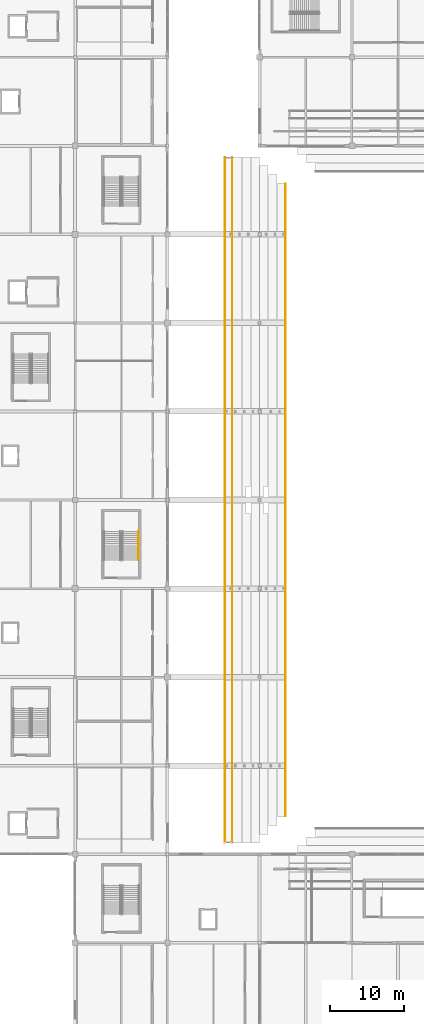
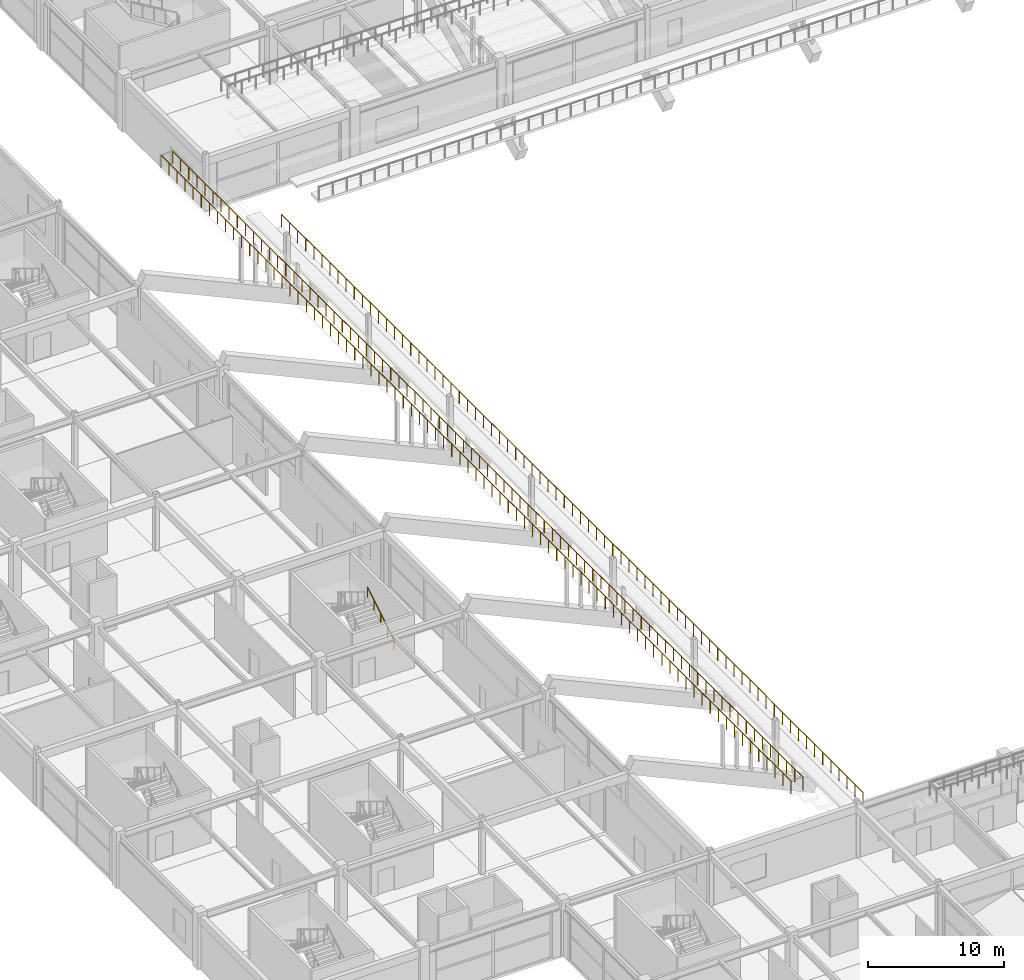
# One storey, part 111 of 128: 4 railings.
"""IFC4 building model written with IfcOpenShell, lengths in metres."""

import ifcopenshell
import ifcopenshell.guid

model = None  # the IFC model being written
_history = None  # IfcOwnerHistory: only IFC2X3 demands one
_inside = {}  # id of a spatial element -> (the spatial element, [elements in it])
_under = {}  # id of a project, library or spatial element -> (it, [spatial elements below it])
_declared = {}  # id of a project -> (the project, [libraries it declares])
_typed = {}  # id of a type object -> (the type object, [elements of that type])
_made_of = {}  # id of a material, layer set ... -> (it, [elements and type objects made of it])


def new_model(schema):
    """Start an empty IFC model of exactly this schema.

    Asked for "IFC4X3", IfcOpenShell would pick the latest addendum, in which some entities
    have other attributes; the version numbers below select the first issue.
    IFC2X3 requires an IfcOwnerHistory on every rooted entity: one is made here for all.
    """
    global model, _history
    if schema == "IFC4X3":
        model = ifcopenshell.file(schema_version=(4, 3, 0, 0))
    else:
        model = ifcopenshell.file(schema=schema)
    _inside.clear()
    _under.clear()
    _declared.clear()
    _typed.clear()
    _made_of.clear()
    _history = None
    if model.schema == "IFC2X3":
        org = make("IfcOrganization", Name="unknown")
        user = make(
            "IfcPersonAndOrganization",
            ThePerson=make("IfcPerson", FamilyName="unknown"),
            TheOrganization=org,
        )
        app = make(
            "IfcApplication",
            ApplicationDeveloper=org,
            Version="unknown",
            ApplicationFullName="unknown",
            ApplicationIdentifier="unknown",
        )
        _history = make(
            "IfcOwnerHistory",
            OwningUser=user,
            OwningApplication=app,
            ChangeAction="ADDED",
            CreationDate=0,
        )
    return model


def make(cls, **values):
    """One entity of the class cls with the attributes given. An attribute that is None is left unset."""
    return model.create_entity(
        cls, **{name: value for name, value in values.items() if value is not None}
    )


def rooted(cls, **values):
    """An entity with a GlobalId (a new one), such as an element, a storey or a relation."""
    return make(cls, GlobalId=ifcopenshell.guid.new(), OwnerHistory=_history, **values)


def si_unit(unit_type, name, prefix=None):
    """IfcSIUnit, for example si_unit("LENGTHUNIT", "METRE", prefix="MILLI")."""
    return make("IfcSIUnit", UnitType=unit_type, Prefix=prefix, Name=name)


def assignment(units):
    """IfcUnitAssignment: the units of a project."""
    return None if units is None else make("IfcUnitAssignment", Units=units)


def point(xyz):
    """IfcCartesianPoint."""
    return None if xyz is None else make("IfcCartesianPoint", Coordinates=xyz)


def direction(xyz):
    """IfcDirection."""
    return None if xyz is None else make("IfcDirection", DirectionRatios=xyz)


def frame(location, z_axis=None, x_axis=None):
    """IfcAxis2Placement3D, a coordinate frame: its origin and axes. An axis left out is left unset."""
    return make(
        "IfcAxis2Placement3D",
        Location=point(location),
        Axis=direction(z_axis),
        RefDirection=direction(x_axis),
    )


def frame_2d(location, x_axis=None):
    """IfcAxis2Placement2D, a coordinate frame in the plane: its origin and x axis."""
    return make(
        "IfcAxis2Placement2D", Location=point(location), RefDirection=direction(x_axis)
    )


def origin():
    """The frame at (0, 0, 0) with its axes left unset."""
    return frame((0.0, 0.0, 0.0))


def origin_2d():
    """The frame at (0, 0) in the plane with its x axis left unset."""
    return frame_2d((0.0, 0.0))


def place(relative_to, where):
    """IfcLocalPlacement: puts the frame where relative to a parent placement (None: the world)."""
    return make(
        "IfcLocalPlacement", PlacementRelTo=relative_to, RelativePlacement=where
    )


def context(
    kind, dimensions, precision=None, world=None, true_north=None, identifier=None
):
    """IfcGeometricRepresentationContext, for example the 3D "Model" context."""
    return make(
        "IfcGeometricRepresentationContext",
        ContextIdentifier=identifier,
        ContextType=kind,
        CoordinateSpaceDimension=dimensions,
        Precision=precision,
        WorldCoordinateSystem=world,
        TrueNorth=true_north,
    )


def subcontext(parent, identifier, kind, view, scale=None):
    """IfcGeometricRepresentationSubContext, for example "Body" below "Model"."""
    return make(
        "IfcGeometricRepresentationSubContext",
        ContextIdentifier=identifier,
        ContextType=kind,
        ParentContext=parent,
        TargetScale=scale,
        TargetView=view,
    )


def project(units=None, contexts=None):
    """IfcProject with its units and contexts."""
    return rooted(
        "IfcProject",
        Name="project",
        RepresentationContexts=contexts,
        UnitsInContext=assignment(units),
    )


def spatial(cls, under=None, at=None, **own):
    """A site, building, storey or space (cls), placed at a placement, below another one or the project."""
    s = rooted(cls, ObjectPlacement=at, **own)
    if under is not None:
        _under.setdefault(under.id(), (under, []))[1].append(s)
    return s


def profile(cls, at=None, kind="AREA", **sizes):
    """A parametric profile (cls). Its sizes go by their IFC names, for example OverallWidth=200.0."""
    return make(cls, ProfileType=kind, Position=at, **sizes)


def circle(**sizes):
    """IfcCircleProfileDef."""
    return profile("IfcCircleProfileDef", **sizes)


def extrude(swept, where, along, depth):
    """IfcExtrudedAreaSolid: the profile swept, set in the frame where, extruded along a direction by depth."""
    return make(
        "IfcExtrudedAreaSolid",
        SweptArea=swept,
        Position=where,
        ExtrudedDirection=direction(along),
        Depth=depth,
    )


def shape(context_of_items, identifier, shape_type, items):
    """IfcShapeRepresentation: the items that make up one representation, for example the "Body"."""
    return make(
        "IfcShapeRepresentation",
        ContextOfItems=context_of_items,
        RepresentationIdentifier=identifier,
        RepresentationType=shape_type,
        Items=items,
    )


def material(Name=None, Category=None):
    """IfcMaterial."""
    return make("IfcMaterial", Name=Name, Category=Category)


def layer(
    of_material, thickness, ventilated=None, Name=None, Category=None, Priority=None
):
    """IfcMaterialLayer: one layer of a wall or slab, of a material (None: an air gap)."""
    return make(
        "IfcMaterialLayer",
        Material=of_material,
        LayerThickness=thickness,
        IsVentilated=ventilated,
        Name=Name,
        Category=Category,
        Priority=Priority,
    )


def layer_set(layers, Name=None):
    """IfcMaterialLayerSet."""
    return make("IfcMaterialLayerSet", MaterialLayers=layers, LayerSetName=Name)


def made_of(thing, what):
    """Note that an element or type object is made of a material, layer set ...; save() writes the relation."""
    if what is not None:
        _made_of.setdefault(what.id(), (what, []))[1].append(thing)
    return thing


def type_object(cls, material=None, **own):
    """A type object (cls), such as IfcWallType, which elements share."""
    return made_of(rooted(cls, **own), material)


def element(
    cls,
    number,
    at=None,
    inside=None,
    cuts=None,
    type_object=None,
    material=None,
    context=None,
    identifier="Body",
    shape_type=None,
    held_by="IfcProductDefinitionShape",
    body=None,
    shapes=None,
    **own,
):
    """One element of the class cls, such as IfcWall. Its Tag is "e" and its number.

    at: its placement. inside: the storey or other place that contains it. cuts: it is an
    opening in that element (IfcRelVoidsElement). A single representation is given by context,
    identifier, shape_type and body (its items); several are given by shapes. held_by: the class
    of the entity that holds the representations. save() writes the other relations.
    """
    e = rooted(cls, Tag="e%d" % number, ObjectPlacement=at, **own)
    if body is not None:
        shapes = [shape(context, identifier, shape_type, body)]
    if shapes is not None:
        e.Representation = make(held_by, Representations=shapes)
    if inside is not None:
        _inside.setdefault(inside.id(), (inside, []))[1].append(e)
    if cuts is not None:
        rooted(
            "IfcRelVoidsElement", RelatingBuildingElement=cuts, RelatedOpeningElement=e
        )
    if type_object is not None:
        _typed.setdefault(type_object.id(), (type_object, []))[1].append(e)
    return made_of(e, material)


def aggregate(whole, parts):
    """IfcRelAggregates: a whole, such as a stair, and the parts it consists of."""
    return rooted("IfcRelAggregates", RelatingObject=whole, RelatedObjects=parts)


def save(model, path):
    """Write the relations noted so far, then the file.

    IfcRelAggregates (storeys below a building ...), IfcRelContainedInSpatialStructure (elements
    in a storey), IfcRelDefinesByType, IfcRelAssociatesMaterial and IfcRelDeclares: one each for
    every whole, place, type object, material and project.
    """
    for whole, parts in _under.values():
        aggregate(whole, parts)
    for where, things in _inside.values():
        rooted(
            "IfcRelContainedInSpatialStructure",
            RelatedElements=things,
            RelatingStructure=where,
        )
    for kind, things in _typed.values():
        rooted("IfcRelDefinesByType", RelatedObjects=things, RelatingType=kind)
    for what, things in _made_of.values():
        rooted("IfcRelAssociatesMaterial", RelatedObjects=things, RelatingMaterial=what)
    for by, libraries in _declared.values():
        rooted("IfcRelDeclares", RelatingContext=by, RelatedDefinitions=libraries)
    model.write(path)


model = new_model("IFC4")

# Units and contexts
model_context = context("Model", 3, precision=1e-05, world=origin(), true_north=direction((0.0, 1.0)))
body_context = subcontext(model_context, "Body", "Model", "MODEL_VIEW")
ifc_project = project(units=[si_unit("LENGTHUNIT", "METRE"), si_unit("AREAUNIT", "SQUARE_METRE"), si_unit("VOLUMEUNIT", "CUBIC_METRE"), si_unit("PLANEANGLEUNIT", "RADIAN"), si_unit("MASSUNIT", "GRAM", prefix="KILO")], contexts=[model_context])

# Site, building, storey
site_placement = place(None, origin())
site = spatial("IfcSite", under=ifc_project, at=site_placement, CompositionType="ELEMENT")
building_placement = place(site_placement, origin())
building = spatial("IfcBuilding", under=site, at=building_placement, Name="Kazenohara Klinker Stadium", CompositionType="ELEMENT")
storey_placement = place(building_placement, frame((0.0, 0.0, 15.300048828125)))
storey = spatial("IfcBuildingStorey", under=building, at=storey_placement, Name="L03", CompositionType="ELEMENT", Elevation=15.300048828125)

# Railings
ifc_material_1 = material(Name="Galvanised powder-coated steel guardrail", Category="steel")
ifc_layer_1 = layer(ifc_material_1, 0.070068359375)
ifc_layer_set_1 = layer_set([ifc_layer_1], Name="Galvanised powder-coated steel guardrail")
railing_type_1 = type_object("IfcRailingType", Name="RL-GRD-1150", PredefinedType="GUARDRAIL", material=ifc_layer_set_1)
railing_1_placement = place(storey_placement, frame((44.280029296875, 37.56005859375, 6.349853515625)))
element("IfcRailing", 1, at=railing_1_placement, inside=storey, type_object=railing_type_1, Name="Spectator stand sightline guardrail TIER-UPPER-W-01-W", PredefinedType="GUARDRAIL", context=body_context, shape_type="SweptSolid", body=[
    extrude(circle(Radius=0.02392578125, at=origin_2d()), frame((0.0, 0.0, 1.1259765625), z_axis=(0.0, 1.0, 0.0), x_axis=(-1.0, 0.0, 0.0)), (0.0, 0.0, 1.0), 92.8798828125),
    extrude(circle(Radius=0.02099609375, at=origin_2d()), origin(), (0.0, 0.0, 1.0), 1.101806640625),
    extrude(circle(Radius=0.02099609375, at=origin_2d()), frame((0.0, 1.190673828125, 0.0)), (0.0, 0.0, 1.0), 1.101806640625),
    extrude(circle(Radius=0.02099609375, at=origin_2d()), frame((0.0, 2.381591796875, 0.0)), (0.0, 0.0, 1.0), 1.101806640625),
    extrude(circle(Radius=0.02099609375, at=origin_2d()), frame((0.0, 3.572265625, 0.0)), (0.0, 0.0, 1.0), 1.101806640625),
    extrude(circle(Radius=0.02099609375, at=origin_2d()), frame((0.0, 4.76318359375, 0.0)), (0.0, 0.0, 1.0), 1.101806640625),
    extrude(circle(Radius=0.02099609375, at=origin_2d()), frame((0.0, 5.953857421875, 0.0)), (0.0, 0.0, 1.0), 1.101806640625),
    extrude(circle(Radius=0.02099609375, at=origin_2d()), frame((0.0, 7.14453125, 0.0)), (0.0, 0.0, 1.0), 1.101806640625),
    extrude(circle(Radius=0.02099609375, at=origin_2d()), frame((0.0, 8.33544921875, 0.0)), (0.0, 0.0, 1.0), 1.101806640625),
    extrude(circle(Radius=0.02099609375, at=origin_2d()), frame((0.0, 9.526123046875, 0.0)), (0.0, 0.0, 1.0), 1.101806640625),
    extrude(circle(Radius=0.02099609375, at=origin_2d()), frame((0.0, 10.716796875, 0.0)), (0.0, 0.0, 1.0), 1.101806640625),
    extrude(circle(Radius=0.02099609375, at=origin_2d()), frame((0.0, 11.90771484375, 0.0)), (0.0, 0.0, 1.0), 1.101806640625),
    extrude(circle(Radius=0.02099609375, at=origin_2d()), frame((0.0, 13.098388671875, 0.0)), (0.0, 0.0, 1.0), 1.101806640625),
    extrude(circle(Radius=0.02099609375, at=origin_2d()), frame((0.0, 14.289306640625, 0.0)), (0.0, 0.0, 1.0), 1.101806640625),
    extrude(circle(Radius=0.02099609375, at=origin_2d()), frame((0.0, 15.47998046875, 0.0)), (0.0, 0.0, 1.0), 1.101806640625),
    extrude(circle(Radius=0.02099609375, at=origin_2d()), frame((0.0, 16.670654296875, 0.0)), (0.0, 0.0, 1.0), 1.101806640625),
    extrude(circle(Radius=0.02099609375, at=origin_2d()), frame((0.0, 17.861572265625, 0.0)), (0.0, 0.0, 1.0), 1.101806640625),
    extrude(circle(Radius=0.02099609375, at=origin_2d()), frame((0.0, 19.05224609375, 0.0)), (0.0, 0.0, 1.0), 1.101806640625),
    extrude(circle(Radius=0.02099609375, at=origin_2d()), frame((0.0, 20.2431640625, 0.0)), (0.0, 0.0, 1.0), 1.101806640625),
    extrude(circle(Radius=0.02099609375, at=origin_2d()), frame((0.0, 21.433837890625, 0.0)), (0.0, 0.0, 1.0), 1.101806640625),
    extrude(circle(Radius=0.02099609375, at=origin_2d()), frame((0.0, 22.62451171875, 0.0)), (0.0, 0.0, 1.0), 1.101806640625),
    extrude(circle(Radius=0.02099609375, at=origin_2d()), frame((0.0, 23.8154296875, 0.0)), (0.0, 0.0, 1.0), 1.101806640625),
    extrude(circle(Radius=0.02099609375, at=origin_2d()), frame((0.0, 25.006103515625, 0.0)), (0.0, 0.0, 1.0), 1.101806640625),
    extrude(circle(Radius=0.02099609375, at=origin_2d()), frame((0.0, 26.19677734375, 0.0)), (0.0, 0.0, 1.0), 1.101806640625),
    extrude(circle(Radius=0.02099609375, at=origin_2d()), frame((0.0, 27.3876953125, 0.0)), (0.0, 0.0, 1.0), 1.101806640625),
    extrude(circle(Radius=0.02099609375, at=origin_2d()), frame((0.0, 28.578369140625, 0.0)), (0.0, 0.0, 1.0), 1.101806640625),
    extrude(circle(Radius=0.02099609375, at=origin_2d()), frame((0.0, 29.769287109375, 0.0)), (0.0, 0.0, 1.0), 1.101806640625),
    extrude(circle(Radius=0.02099609375, at=origin_2d()), frame((0.0, 30.9599609375, 0.0)), (0.0, 0.0, 1.0), 1.101806640625),
    extrude(circle(Radius=0.02099609375, at=origin_2d()), frame((0.0, 32.150634765625, 0.0)), (0.0, 0.0, 1.0), 1.101806640625),
    extrude(circle(Radius=0.02099609375, at=origin_2d()), frame((0.0, 33.341552734375, 0.0)), (0.0, 0.0, 1.0), 1.101806640625),
    extrude(circle(Radius=0.02099609375, at=origin_2d()), frame((0.0, 34.5322265625, 0.0)), (0.0, 0.0, 1.0), 1.101806640625),
    extrude(circle(Radius=0.02099609375, at=origin_2d()), frame((0.0, 35.72314453125, 0.0)), (0.0, 0.0, 1.0), 1.101806640625),
    extrude(circle(Radius=0.02099609375, at=origin_2d()), frame((0.0, 36.913818359375, 0.0)), (0.0, 0.0, 1.0), 1.101806640625),
    extrude(circle(Radius=0.02099609375, at=origin_2d()), frame((0.0, 38.1044921875, 0.0)), (0.0, 0.0, 1.0), 1.101806640625),
    extrude(circle(Radius=0.02099609375, at=origin_2d()), frame((0.0, 39.29541015625, 0.0)), (0.0, 0.0, 1.0), 1.101806640625),
    extrude(circle(Radius=0.02099609375, at=origin_2d()), frame((0.0, 40.486083984375, 0.0)), (0.0, 0.0, 1.0), 1.101806640625),
    extrude(circle(Radius=0.02099609375, at=origin_2d()), frame((0.0, 41.6767578125, 0.0)), (0.0, 0.0, 1.0), 1.101806640625),
    extrude(circle(Radius=0.02099609375, at=origin_2d()), frame((0.0, 42.86767578125, 0.0)), (0.0, 0.0, 1.0), 1.101806640625),
    extrude(circle(Radius=0.02099609375, at=origin_2d()), frame((0.0, 44.058349609375, 0.0)), (0.0, 0.0, 1.0), 1.101806640625),
    extrude(circle(Radius=0.02099609375, at=origin_2d()), frame((0.0, 45.249267578125, 0.0)), (0.0, 0.0, 1.0), 1.101806640625),
    extrude(circle(Radius=0.02099609375, at=origin_2d()), frame((0.0, 46.43994140625, 0.0)), (0.0, 0.0, 1.0), 1.101806640625),
    extrude(circle(Radius=0.02099609375, at=origin_2d()), frame((0.0, 47.630615234375, 0.0)), (0.0, 0.0, 1.0), 1.101806640625),
    extrude(circle(Radius=0.02099609375, at=origin_2d()), frame((0.0, 48.821533203125, 0.0)), (0.0, 0.0, 1.0), 1.101806640625),
    extrude(circle(Radius=0.02099609375, at=origin_2d()), frame((0.0, 50.01220703125, 0.0)), (0.0, 0.0, 1.0), 1.101806640625),
    extrude(circle(Radius=0.02099609375, at=origin_2d()), frame((0.0, 51.203125, 0.0)), (0.0, 0.0, 1.0), 1.101806640625),
    extrude(circle(Radius=0.02099609375, at=origin_2d()), frame((0.0, 52.393798828125, 0.0)), (0.0, 0.0, 1.0), 1.101806640625),
    extrude(circle(Radius=0.02099609375, at=origin_2d()), frame((0.0, 53.58447265625, 0.0)), (0.0, 0.0, 1.0), 1.101806640625),
    extrude(circle(Radius=0.02099609375, at=origin_2d()), frame((0.0, 54.775390625, 0.0)), (0.0, 0.0, 1.0), 1.101806640625),
    extrude(circle(Radius=0.02099609375, at=origin_2d()), frame((0.0, 55.966064453125, 0.0)), (0.0, 0.0, 1.0), 1.101806640625),
    extrude(circle(Radius=0.02099609375, at=origin_2d()), frame((0.0, 57.15673828125, 0.0)), (0.0, 0.0, 1.0), 1.101806640625),
    extrude(circle(Radius=0.02099609375, at=origin_2d()), frame((0.0, 58.34765625, 0.0)), (0.0, 0.0, 1.0), 1.101806640625),
    extrude(circle(Radius=0.02099609375, at=origin_2d()), frame((0.0, 59.538330078125, 0.0)), (0.0, 0.0, 1.0), 1.101806640625),
    extrude(circle(Radius=0.02099609375, at=origin_2d()), frame((0.0, 60.729248046875, 0.0)), (0.0, 0.0, 1.0), 1.101806640625),
    extrude(circle(Radius=0.02099609375, at=origin_2d()), frame((0.0, 61.919921875, 0.0)), (0.0, 0.0, 1.0), 1.101806640625),
    extrude(circle(Radius=0.02099609375, at=origin_2d()), frame((0.0, 63.110595703125, 0.0)), (0.0, 0.0, 1.0), 1.101806640625),
    extrude(circle(Radius=0.02099609375, at=origin_2d()), frame((0.0, 64.301513671875, 0.0)), (0.0, 0.0, 1.0), 1.101806640625),
    extrude(circle(Radius=0.02099609375, at=origin_2d()), frame((0.0, 65.4921875, 0.0)), (0.0, 0.0, 1.0), 1.101806640625),
    extrude(circle(Radius=0.02099609375, at=origin_2d()), frame((0.0, 66.68310546875, 0.0)), (0.0, 0.0, 1.0), 1.101806640625),
    extrude(circle(Radius=0.02099609375, at=origin_2d()), frame((0.0, 67.873779296875, 0.0)), (0.0, 0.0, 1.0), 1.101806640625),
    extrude(circle(Radius=0.02099609375, at=origin_2d()), frame((0.0, 69.064453125, 0.0)), (0.0, 0.0, 1.0), 1.101806640625),
    extrude(circle(Radius=0.02099609375, at=origin_2d()), frame((0.0, 70.25537109375, 0.0)), (0.0, 0.0, 1.0), 1.101806640625),
    extrude(circle(Radius=0.02099609375, at=origin_2d()), frame((0.0, 71.446044921875, 0.0)), (0.0, 0.0, 1.0), 1.101806640625),
    extrude(circle(Radius=0.02099609375, at=origin_2d()), frame((0.0, 72.63671875, 0.0)), (0.0, 0.0, 1.0), 1.101806640625),
    extrude(circle(Radius=0.02099609375, at=origin_2d()), frame((0.0, 73.82763671875, 0.0)), (0.0, 0.0, 1.0), 1.101806640625),
    extrude(circle(Radius=0.02099609375, at=origin_2d()), frame((0.0, 75.018310546875, 0.0)), (0.0, 0.0, 1.0), 1.101806640625),
    extrude(circle(Radius=0.02099609375, at=origin_2d()), frame((0.0, 76.209228515625, 0.0)), (0.0, 0.0, 1.0), 1.101806640625),
    extrude(circle(Radius=0.02099609375, at=origin_2d()), frame((0.0, 77.39990234375, 0.0)), (0.0, 0.0, 1.0), 1.101806640625),
    extrude(circle(Radius=0.02099609375, at=origin_2d()), frame((0.0, 78.590576171875, 0.0)), (0.0, 0.0, 1.0), 1.101806640625),
    extrude(circle(Radius=0.02099609375, at=origin_2d()), frame((0.0, 79.781494140625, 0.0)), (0.0, 0.0, 1.0), 1.101806640625),
    extrude(circle(Radius=0.02099609375, at=origin_2d()), frame((0.0, 80.97216796875, 0.0)), (0.0, 0.0, 1.0), 1.101806640625),
    extrude(circle(Radius=0.02099609375, at=origin_2d()), frame((0.0, 82.1630859375, 0.0)), (0.0, 0.0, 1.0), 1.101806640625),
    extrude(circle(Radius=0.02099609375, at=origin_2d()), frame((0.0, 83.353759765625, 0.0)), (0.0, 0.0, 1.0), 1.101806640625),
    extrude(circle(Radius=0.02099609375, at=origin_2d()), frame((0.0, 84.54443359375, 0.0)), (0.0, 0.0, 1.0), 1.101806640625),
    extrude(circle(Radius=0.02099609375, at=origin_2d()), frame((0.0, 85.7353515625, 0.0)), (0.0, 0.0, 1.0), 1.101806640625),
    extrude(circle(Radius=0.02099609375, at=origin_2d()), frame((0.0, 86.926025390625, 0.0)), (0.0, 0.0, 1.0), 1.101806640625),
    extrude(circle(Radius=0.02099609375, at=origin_2d()), frame((0.0, 88.11669921875, 0.0)), (0.0, 0.0, 1.0), 1.101806640625),
    extrude(circle(Radius=0.02099609375, at=origin_2d()), frame((0.0, 89.3076171875, 0.0)), (0.0, 0.0, 1.0), 1.101806640625),
    extrude(circle(Radius=0.02099609375, at=origin_2d()), frame((0.0, 90.498291015625, 0.0)), (0.0, 0.0, 1.0), 1.101806640625),
    extrude(circle(Radius=0.02099609375, at=origin_2d()), frame((0.0, 91.689208984375, 0.0)), (0.0, 0.0, 1.0), 1.101806640625),
    extrude(circle(Radius=0.02099609375, at=origin_2d()), frame((0.0, 92.8798828125, 0.0)), (0.0, 0.0, 1.0), 1.101806640625),
])
railing_2_placement = place(storey_placement, frame((45.280029296875, 37.56005859375, 6.349853515625)))
element("IfcRailing", 2, at=railing_2_placement, inside=storey, type_object=railing_type_1, Name="Spectator stand sightline guardrail TIER-UPPER-W-01-E", PredefinedType="GUARDRAIL", context=body_context, shape_type="SweptSolid", body=[
    extrude(circle(Radius=0.02392578125, at=origin_2d()), frame((0.0, 0.0, 1.1259765625), z_axis=(0.0, 1.0, 0.0), x_axis=(-1.0, 0.0, 0.0)), (0.0, 0.0, 1.0), 92.8798828125),
    extrude(circle(Radius=0.02099609375, at=origin_2d()), origin(), (0.0, 0.0, 1.0), 1.101806640625),
    extrude(circle(Radius=0.02099609375, at=origin_2d()), frame((0.0, 1.190673828125, 0.0)), (0.0, 0.0, 1.0), 1.101806640625),
    extrude(circle(Radius=0.02099609375, at=origin_2d()), frame((0.0, 2.381591796875, 0.0)), (0.0, 0.0, 1.0), 1.101806640625),
    extrude(circle(Radius=0.02099609375, at=origin_2d()), frame((0.0, 3.572265625, 0.0)), (0.0, 0.0, 1.0), 1.101806640625),
    extrude(circle(Radius=0.02099609375, at=origin_2d()), frame((0.0, 4.76318359375, 0.0)), (0.0, 0.0, 1.0), 1.101806640625),
    extrude(circle(Radius=0.02099609375, at=origin_2d()), frame((0.0, 5.953857421875, 0.0)), (0.0, 0.0, 1.0), 1.101806640625),
    extrude(circle(Radius=0.02099609375, at=origin_2d()), frame((0.0, 7.14453125, 0.0)), (0.0, 0.0, 1.0), 1.101806640625),
    extrude(circle(Radius=0.02099609375, at=origin_2d()), frame((0.0, 8.33544921875, 0.0)), (0.0, 0.0, 1.0), 1.101806640625),
    extrude(circle(Radius=0.02099609375, at=origin_2d()), frame((0.0, 9.526123046875, 0.0)), (0.0, 0.0, 1.0), 1.101806640625),
    extrude(circle(Radius=0.02099609375, at=origin_2d()), frame((0.0, 10.716796875, 0.0)), (0.0, 0.0, 1.0), 1.101806640625),
    extrude(circle(Radius=0.02099609375, at=origin_2d()), frame((0.0, 11.90771484375, 0.0)), (0.0, 0.0, 1.0), 1.101806640625),
    extrude(circle(Radius=0.02099609375, at=origin_2d()), frame((0.0, 13.098388671875, 0.0)), (0.0, 0.0, 1.0), 1.101806640625),
    extrude(circle(Radius=0.02099609375, at=origin_2d()), frame((0.0, 14.289306640625, 0.0)), (0.0, 0.0, 1.0), 1.101806640625),
    extrude(circle(Radius=0.02099609375, at=origin_2d()), frame((0.0, 15.47998046875, 0.0)), (0.0, 0.0, 1.0), 1.101806640625),
    extrude(circle(Radius=0.02099609375, at=origin_2d()), frame((0.0, 16.670654296875, 0.0)), (0.0, 0.0, 1.0), 1.101806640625),
    extrude(circle(Radius=0.02099609375, at=origin_2d()), frame((0.0, 17.861572265625, 0.0)), (0.0, 0.0, 1.0), 1.101806640625),
    extrude(circle(Radius=0.02099609375, at=origin_2d()), frame((0.0, 19.05224609375, 0.0)), (0.0, 0.0, 1.0), 1.101806640625),
    extrude(circle(Radius=0.02099609375, at=origin_2d()), frame((0.0, 20.2431640625, 0.0)), (0.0, 0.0, 1.0), 1.101806640625),
    extrude(circle(Radius=0.02099609375, at=origin_2d()), frame((0.0, 21.433837890625, 0.0)), (0.0, 0.0, 1.0), 1.101806640625),
    extrude(circle(Radius=0.02099609375, at=origin_2d()), frame((0.0, 22.62451171875, 0.0)), (0.0, 0.0, 1.0), 1.101806640625),
    extrude(circle(Radius=0.02099609375, at=origin_2d()), frame((0.0, 23.8154296875, 0.0)), (0.0, 0.0, 1.0), 1.101806640625),
    extrude(circle(Radius=0.02099609375, at=origin_2d()), frame((0.0, 25.006103515625, 0.0)), (0.0, 0.0, 1.0), 1.101806640625),
    extrude(circle(Radius=0.02099609375, at=origin_2d()), frame((0.0, 26.19677734375, 0.0)), (0.0, 0.0, 1.0), 1.101806640625),
    extrude(circle(Radius=0.02099609375, at=origin_2d()), frame((0.0, 27.3876953125, 0.0)), (0.0, 0.0, 1.0), 1.101806640625),
    extrude(circle(Radius=0.02099609375, at=origin_2d()), frame((0.0, 28.578369140625, 0.0)), (0.0, 0.0, 1.0), 1.101806640625),
    extrude(circle(Radius=0.02099609375, at=origin_2d()), frame((0.0, 29.769287109375, 0.0)), (0.0, 0.0, 1.0), 1.101806640625),
    extrude(circle(Radius=0.02099609375, at=origin_2d()), frame((0.0, 30.9599609375, 0.0)), (0.0, 0.0, 1.0), 1.101806640625),
    extrude(circle(Radius=0.02099609375, at=origin_2d()), frame((0.0, 32.150634765625, 0.0)), (0.0, 0.0, 1.0), 1.101806640625),
    extrude(circle(Radius=0.02099609375, at=origin_2d()), frame((0.0, 33.341552734375, 0.0)), (0.0, 0.0, 1.0), 1.101806640625),
    extrude(circle(Radius=0.02099609375, at=origin_2d()), frame((0.0, 34.5322265625, 0.0)), (0.0, 0.0, 1.0), 1.101806640625),
    extrude(circle(Radius=0.02099609375, at=origin_2d()), frame((0.0, 35.72314453125, 0.0)), (0.0, 0.0, 1.0), 1.101806640625),
    extrude(circle(Radius=0.02099609375, at=origin_2d()), frame((0.0, 36.913818359375, 0.0)), (0.0, 0.0, 1.0), 1.101806640625),
    extrude(circle(Radius=0.02099609375, at=origin_2d()), frame((0.0, 38.1044921875, 0.0)), (0.0, 0.0, 1.0), 1.101806640625),
    extrude(circle(Radius=0.02099609375, at=origin_2d()), frame((0.0, 39.29541015625, 0.0)), (0.0, 0.0, 1.0), 1.101806640625),
    extrude(circle(Radius=0.02099609375, at=origin_2d()), frame((0.0, 40.486083984375, 0.0)), (0.0, 0.0, 1.0), 1.101806640625),
    extrude(circle(Radius=0.02099609375, at=origin_2d()), frame((0.0, 41.6767578125, 0.0)), (0.0, 0.0, 1.0), 1.101806640625),
    extrude(circle(Radius=0.02099609375, at=origin_2d()), frame((0.0, 42.86767578125, 0.0)), (0.0, 0.0, 1.0), 1.101806640625),
    extrude(circle(Radius=0.02099609375, at=origin_2d()), frame((0.0, 44.058349609375, 0.0)), (0.0, 0.0, 1.0), 1.101806640625),
    extrude(circle(Radius=0.02099609375, at=origin_2d()), frame((0.0, 45.249267578125, 0.0)), (0.0, 0.0, 1.0), 1.101806640625),
    extrude(circle(Radius=0.02099609375, at=origin_2d()), frame((0.0, 46.43994140625, 0.0)), (0.0, 0.0, 1.0), 1.101806640625),
    extrude(circle(Radius=0.02099609375, at=origin_2d()), frame((0.0, 47.630615234375, 0.0)), (0.0, 0.0, 1.0), 1.101806640625),
    extrude(circle(Radius=0.02099609375, at=origin_2d()), frame((0.0, 48.821533203125, 0.0)), (0.0, 0.0, 1.0), 1.101806640625),
    extrude(circle(Radius=0.02099609375, at=origin_2d()), frame((0.0, 50.01220703125, 0.0)), (0.0, 0.0, 1.0), 1.101806640625),
    extrude(circle(Radius=0.02099609375, at=origin_2d()), frame((0.0, 51.203125, 0.0)), (0.0, 0.0, 1.0), 1.101806640625),
    extrude(circle(Radius=0.02099609375, at=origin_2d()), frame((0.0, 52.393798828125, 0.0)), (0.0, 0.0, 1.0), 1.101806640625),
    extrude(circle(Radius=0.02099609375, at=origin_2d()), frame((0.0, 53.58447265625, 0.0)), (0.0, 0.0, 1.0), 1.101806640625),
    extrude(circle(Radius=0.02099609375, at=origin_2d()), frame((0.0, 54.775390625, 0.0)), (0.0, 0.0, 1.0), 1.101806640625),
    extrude(circle(Radius=0.02099609375, at=origin_2d()), frame((0.0, 55.966064453125, 0.0)), (0.0, 0.0, 1.0), 1.101806640625),
    extrude(circle(Radius=0.02099609375, at=origin_2d()), frame((0.0, 57.15673828125, 0.0)), (0.0, 0.0, 1.0), 1.101806640625),
    extrude(circle(Radius=0.02099609375, at=origin_2d()), frame((0.0, 58.34765625, 0.0)), (0.0, 0.0, 1.0), 1.101806640625),
    extrude(circle(Radius=0.02099609375, at=origin_2d()), frame((0.0, 59.538330078125, 0.0)), (0.0, 0.0, 1.0), 1.101806640625),
    extrude(circle(Radius=0.02099609375, at=origin_2d()), frame((0.0, 60.729248046875, 0.0)), (0.0, 0.0, 1.0), 1.101806640625),
    extrude(circle(Radius=0.02099609375, at=origin_2d()), frame((0.0, 61.919921875, 0.0)), (0.0, 0.0, 1.0), 1.101806640625),
    extrude(circle(Radius=0.02099609375, at=origin_2d()), frame((0.0, 63.110595703125, 0.0)), (0.0, 0.0, 1.0), 1.101806640625),
    extrude(circle(Radius=0.02099609375, at=origin_2d()), frame((0.0, 64.301513671875, 0.0)), (0.0, 0.0, 1.0), 1.101806640625),
    extrude(circle(Radius=0.02099609375, at=origin_2d()), frame((0.0, 65.4921875, 0.0)), (0.0, 0.0, 1.0), 1.101806640625),
    extrude(circle(Radius=0.02099609375, at=origin_2d()), frame((0.0, 66.68310546875, 0.0)), (0.0, 0.0, 1.0), 1.101806640625),
    extrude(circle(Radius=0.02099609375, at=origin_2d()), frame((0.0, 67.873779296875, 0.0)), (0.0, 0.0, 1.0), 1.101806640625),
    extrude(circle(Radius=0.02099609375, at=origin_2d()), frame((0.0, 69.064453125, 0.0)), (0.0, 0.0, 1.0), 1.101806640625),
    extrude(circle(Radius=0.02099609375, at=origin_2d()), frame((0.0, 70.25537109375, 0.0)), (0.0, 0.0, 1.0), 1.101806640625),
    extrude(circle(Radius=0.02099609375, at=origin_2d()), frame((0.0, 71.446044921875, 0.0)), (0.0, 0.0, 1.0), 1.101806640625),
    extrude(circle(Radius=0.02099609375, at=origin_2d()), frame((0.0, 72.63671875, 0.0)), (0.0, 0.0, 1.0), 1.101806640625),
    extrude(circle(Radius=0.02099609375, at=origin_2d()), frame((0.0, 73.82763671875, 0.0)), (0.0, 0.0, 1.0), 1.101806640625),
    extrude(circle(Radius=0.02099609375, at=origin_2d()), frame((0.0, 75.018310546875, 0.0)), (0.0, 0.0, 1.0), 1.101806640625),
    extrude(circle(Radius=0.02099609375, at=origin_2d()), frame((0.0, 76.209228515625, 0.0)), (0.0, 0.0, 1.0), 1.101806640625),
    extrude(circle(Radius=0.02099609375, at=origin_2d()), frame((0.0, 77.39990234375, 0.0)), (0.0, 0.0, 1.0), 1.101806640625),
    extrude(circle(Radius=0.02099609375, at=origin_2d()), frame((0.0, 78.590576171875, 0.0)), (0.0, 0.0, 1.0), 1.101806640625),
    extrude(circle(Radius=0.02099609375, at=origin_2d()), frame((0.0, 79.781494140625, 0.0)), (0.0, 0.0, 1.0), 1.101806640625),
    extrude(circle(Radius=0.02099609375, at=origin_2d()), frame((0.0, 80.97216796875, 0.0)), (0.0, 0.0, 1.0), 1.101806640625),
    extrude(circle(Radius=0.02099609375, at=origin_2d()), frame((0.0, 82.1630859375, 0.0)), (0.0, 0.0, 1.0), 1.101806640625),
    extrude(circle(Radius=0.02099609375, at=origin_2d()), frame((0.0, 83.353759765625, 0.0)), (0.0, 0.0, 1.0), 1.101806640625),
    extrude(circle(Radius=0.02099609375, at=origin_2d()), frame((0.0, 84.54443359375, 0.0)), (0.0, 0.0, 1.0), 1.101806640625),
    extrude(circle(Radius=0.02099609375, at=origin_2d()), frame((0.0, 85.7353515625, 0.0)), (0.0, 0.0, 1.0), 1.101806640625),
    extrude(circle(Radius=0.02099609375, at=origin_2d()), frame((0.0, 86.926025390625, 0.0)), (0.0, 0.0, 1.0), 1.101806640625),
    extrude(circle(Radius=0.02099609375, at=origin_2d()), frame((0.0, 88.11669921875, 0.0)), (0.0, 0.0, 1.0), 1.101806640625),
    extrude(circle(Radius=0.02099609375, at=origin_2d()), frame((0.0, 89.3076171875, 0.0)), (0.0, 0.0, 1.0), 1.101806640625),
    extrude(circle(Radius=0.02099609375, at=origin_2d()), frame((0.0, 90.498291015625, 0.0)), (0.0, 0.0, 1.0), 1.101806640625),
    extrude(circle(Radius=0.02099609375, at=origin_2d()), frame((0.0, 91.689208984375, 0.0)), (0.0, 0.0, 1.0), 1.101806640625),
    extrude(circle(Radius=0.02099609375, at=origin_2d()), frame((0.0, 92.8798828125, 0.0)), (0.0, 0.0, 1.0), 1.101806640625),
])
railing_3_placement = place(storey_placement, frame((52.47998046875, 41.139892578125, 0.300048828125)))
element("IfcRailing", 3, at=railing_3_placement, inside=storey, type_object=railing_type_1, Name="Spectator stand sightline guardrail TIER-UPPER-W-07", PredefinedType="GUARDRAIL", context=body_context, shape_type="SweptSolid", body=[
    extrude(circle(Radius=0.02392578125, at=origin_2d()), frame((0.0, 0.0, 1.1259765625), z_axis=(0.0, 1.0, 0.0), x_axis=(-1.0, 0.0, 0.0)), (0.0, 0.0, 1.0), 85.72021484375),
    extrude(circle(Radius=0.02099609375, at=origin_2d()), origin(), (0.0, 0.0, 1.0), 1.101806640625),
    extrude(circle(Radius=0.02099609375, at=origin_2d()), frame((0.0, 1.190673828125, 0.0)), (0.0, 0.0, 1.0), 1.101806640625),
    extrude(circle(Radius=0.02099609375, at=origin_2d()), frame((0.0, 2.381103515625, 0.0)), (0.0, 0.0, 1.0), 1.101806640625),
    extrude(circle(Radius=0.02099609375, at=origin_2d()), frame((0.0, 3.57177734375, 0.0)), (0.0, 0.0, 1.0), 1.101806640625),
    extrude(circle(Radius=0.02099609375, at=origin_2d()), frame((0.0, 4.76220703125, 0.0)), (0.0, 0.0, 1.0), 1.101806640625),
    extrude(circle(Radius=0.02099609375, at=origin_2d()), frame((0.0, 5.952880859375, 0.0)), (0.0, 0.0, 1.0), 1.101806640625),
    extrude(circle(Radius=0.02099609375, at=origin_2d()), frame((0.0, 7.143310546875, 0.0)), (0.0, 0.0, 1.0), 1.101806640625),
    extrude(circle(Radius=0.02099609375, at=origin_2d()), frame((0.0, 8.333984375, 0.0)), (0.0, 0.0, 1.0), 1.101806640625),
    extrude(circle(Radius=0.02099609375, at=origin_2d()), frame((0.0, 9.5244140625, 0.0)), (0.0, 0.0, 1.0), 1.101806640625),
    extrude(circle(Radius=0.02099609375, at=origin_2d()), frame((0.0, 10.715087890625, 0.0)), (0.0, 0.0, 1.0), 1.101806640625),
    extrude(circle(Radius=0.02099609375, at=origin_2d()), frame((0.0, 11.905517578125, 0.0)), (0.0, 0.0, 1.0), 1.101806640625),
    extrude(circle(Radius=0.02099609375, at=origin_2d()), frame((0.0, 13.09619140625, 0.0)), (0.0, 0.0, 1.0), 1.101806640625),
    extrude(circle(Radius=0.02099609375, at=origin_2d()), frame((0.0, 14.28662109375, 0.0)), (0.0, 0.0, 1.0), 1.101806640625),
    extrude(circle(Radius=0.02099609375, at=origin_2d()), frame((0.0, 15.477294921875, 0.0)), (0.0, 0.0, 1.0), 1.101806640625),
    extrude(circle(Radius=0.02099609375, at=origin_2d()), frame((0.0, 16.667724609375, 0.0)), (0.0, 0.0, 1.0), 1.101806640625),
    extrude(circle(Radius=0.02099609375, at=origin_2d()), frame((0.0, 17.8583984375, 0.0)), (0.0, 0.0, 1.0), 1.101806640625),
    extrude(circle(Radius=0.02099609375, at=origin_2d()), frame((0.0, 19.048828125, 0.0)), (0.0, 0.0, 1.0), 1.101806640625),
    extrude(circle(Radius=0.02099609375, at=origin_2d()), frame((0.0, 20.239501953125, 0.0)), (0.0, 0.0, 1.0), 1.101806640625),
    extrude(circle(Radius=0.02099609375, at=origin_2d()), frame((0.0, 21.43017578125, 0.0)), (0.0, 0.0, 1.0), 1.101806640625),
    extrude(circle(Radius=0.02099609375, at=origin_2d()), frame((0.0, 22.62060546875, 0.0)), (0.0, 0.0, 1.0), 1.101806640625),
    extrude(circle(Radius=0.02099609375, at=origin_2d()), frame((0.0, 23.811279296875, 0.0)), (0.0, 0.0, 1.0), 1.101806640625),
    extrude(circle(Radius=0.02099609375, at=origin_2d()), frame((0.0, 25.001708984375, 0.0)), (0.0, 0.0, 1.0), 1.101806640625),
    extrude(circle(Radius=0.02099609375, at=origin_2d()), frame((0.0, 26.1923828125, 0.0)), (0.0, 0.0, 1.0), 1.101806640625),
    extrude(circle(Radius=0.02099609375, at=origin_2d()), frame((0.0, 27.3828125, 0.0)), (0.0, 0.0, 1.0), 1.101806640625),
    extrude(circle(Radius=0.02099609375, at=origin_2d()), frame((0.0, 28.573486328125, 0.0)), (0.0, 0.0, 1.0), 1.101806640625),
    extrude(circle(Radius=0.02099609375, at=origin_2d()), frame((0.0, 29.763916015625, 0.0)), (0.0, 0.0, 1.0), 1.101806640625),
    extrude(circle(Radius=0.02099609375, at=origin_2d()), frame((0.0, 30.95458984375, 0.0)), (0.0, 0.0, 1.0), 1.101806640625),
    extrude(circle(Radius=0.02099609375, at=origin_2d()), frame((0.0, 32.14501953125, 0.0)), (0.0, 0.0, 1.0), 1.101806640625),
    extrude(circle(Radius=0.02099609375, at=origin_2d()), frame((0.0, 33.335693359375, 0.0)), (0.0, 0.0, 1.0), 1.101806640625),
    extrude(circle(Radius=0.02099609375, at=origin_2d()), frame((0.0, 34.526123046875, 0.0)), (0.0, 0.0, 1.0), 1.101806640625),
    extrude(circle(Radius=0.02099609375, at=origin_2d()), frame((0.0, 35.716796875, 0.0)), (0.0, 0.0, 1.0), 1.101806640625),
    extrude(circle(Radius=0.02099609375, at=origin_2d()), frame((0.0, 36.9072265625, 0.0)), (0.0, 0.0, 1.0), 1.101806640625),
    extrude(circle(Radius=0.02099609375, at=origin_2d()), frame((0.0, 38.097900390625, 0.0)), (0.0, 0.0, 1.0), 1.101806640625),
    extrude(circle(Radius=0.02099609375, at=origin_2d()), frame((0.0, 39.288330078125, 0.0)), (0.0, 0.0, 1.0), 1.101806640625),
    extrude(circle(Radius=0.02099609375, at=origin_2d()), frame((0.0, 40.47900390625, 0.0)), (0.0, 0.0, 1.0), 1.101806640625),
    extrude(circle(Radius=0.02099609375, at=origin_2d()), frame((0.0, 41.66943359375, 0.0)), (0.0, 0.0, 1.0), 1.101806640625),
    extrude(circle(Radius=0.02099609375, at=origin_2d()), frame((0.0, 42.860107421875, 0.0)), (0.0, 0.0, 1.0), 1.101806640625),
    extrude(circle(Radius=0.02099609375, at=origin_2d()), frame((0.0, 44.05078125, 0.0)), (0.0, 0.0, 1.0), 1.101806640625),
    extrude(circle(Radius=0.02099609375, at=origin_2d()), frame((0.0, 45.2412109375, 0.0)), (0.0, 0.0, 1.0), 1.101806640625),
    extrude(circle(Radius=0.02099609375, at=origin_2d()), frame((0.0, 46.431884765625, 0.0)), (0.0, 0.0, 1.0), 1.101806640625),
    extrude(circle(Radius=0.02099609375, at=origin_2d()), frame((0.0, 47.622314453125, 0.0)), (0.0, 0.0, 1.0), 1.101806640625),
    extrude(circle(Radius=0.02099609375, at=origin_2d()), frame((0.0, 48.81298828125, 0.0)), (0.0, 0.0, 1.0), 1.101806640625),
    extrude(circle(Radius=0.02099609375, at=origin_2d()), frame((0.0, 50.00341796875, 0.0)), (0.0, 0.0, 1.0), 1.101806640625),
    extrude(circle(Radius=0.02099609375, at=origin_2d()), frame((0.0, 51.194091796875, 0.0)), (0.0, 0.0, 1.0), 1.101806640625),
    extrude(circle(Radius=0.02099609375, at=origin_2d()), frame((0.0, 52.384521484375, 0.0)), (0.0, 0.0, 1.0), 1.101806640625),
    extrude(circle(Radius=0.02099609375, at=origin_2d()), frame((0.0, 53.5751953125, 0.0)), (0.0, 0.0, 1.0), 1.101806640625),
    extrude(circle(Radius=0.02099609375, at=origin_2d()), frame((0.0, 54.765625, 0.0)), (0.0, 0.0, 1.0), 1.101806640625),
    extrude(circle(Radius=0.02099609375, at=origin_2d()), frame((0.0, 55.956298828125, 0.0)), (0.0, 0.0, 1.0), 1.101806640625),
    extrude(circle(Radius=0.02099609375, at=origin_2d()), frame((0.0, 57.146728515625, 0.0)), (0.0, 0.0, 1.0), 1.101806640625),
    extrude(circle(Radius=0.02099609375, at=origin_2d()), frame((0.0, 58.33740234375, 0.0)), (0.0, 0.0, 1.0), 1.101806640625),
    extrude(circle(Radius=0.02099609375, at=origin_2d()), frame((0.0, 59.52783203125, 0.0)), (0.0, 0.0, 1.0), 1.101806640625),
    extrude(circle(Radius=0.02099609375, at=origin_2d()), frame((0.0, 60.718505859375, 0.0)), (0.0, 0.0, 1.0), 1.101806640625),
    extrude(circle(Radius=0.02099609375, at=origin_2d()), frame((0.0, 61.908935546875, 0.0)), (0.0, 0.0, 1.0), 1.101806640625),
    extrude(circle(Radius=0.02099609375, at=origin_2d()), frame((0.0, 63.099609375, 0.0)), (0.0, 0.0, 1.0), 1.101806640625),
    extrude(circle(Radius=0.02099609375, at=origin_2d()), frame((0.0, 64.2900390625, 0.0)), (0.0, 0.0, 1.0), 1.101806640625),
    extrude(circle(Radius=0.02099609375, at=origin_2d()), frame((0.0, 65.480712890625, 0.0)), (0.0, 0.0, 1.0), 1.101806640625),
    extrude(circle(Radius=0.02099609375, at=origin_2d()), frame((0.0, 66.67138671875, 0.0)), (0.0, 0.0, 1.0), 1.101806640625),
    extrude(circle(Radius=0.02099609375, at=origin_2d()), frame((0.0, 67.86181640625, 0.0)), (0.0, 0.0, 1.0), 1.101806640625),
    extrude(circle(Radius=0.02099609375, at=origin_2d()), frame((0.0, 69.052490234375, 0.0)), (0.0, 0.0, 1.0), 1.101806640625),
    extrude(circle(Radius=0.02099609375, at=origin_2d()), frame((0.0, 70.242919921875, 0.0)), (0.0, 0.0, 1.0), 1.101806640625),
    extrude(circle(Radius=0.02099609375, at=origin_2d()), frame((0.0, 71.43359375, 0.0)), (0.0, 0.0, 1.0), 1.101806640625),
    extrude(circle(Radius=0.02099609375, at=origin_2d()), frame((0.0, 72.6240234375, 0.0)), (0.0, 0.0, 1.0), 1.101806640625),
    extrude(circle(Radius=0.02099609375, at=origin_2d()), frame((0.0, 73.814697265625, 0.0)), (0.0, 0.0, 1.0), 1.101806640625),
    extrude(circle(Radius=0.02099609375, at=origin_2d()), frame((0.0, 75.005126953125, 0.0)), (0.0, 0.0, 1.0), 1.101806640625),
    extrude(circle(Radius=0.02099609375, at=origin_2d()), frame((0.0, 76.19580078125, 0.0)), (0.0, 0.0, 1.0), 1.101806640625),
    extrude(circle(Radius=0.02099609375, at=origin_2d()), frame((0.0, 77.38623046875, 0.0)), (0.0, 0.0, 1.0), 1.101806640625),
    extrude(circle(Radius=0.02099609375, at=origin_2d()), frame((0.0, 78.576904296875, 0.0)), (0.0, 0.0, 1.0), 1.101806640625),
    extrude(circle(Radius=0.02099609375, at=origin_2d()), frame((0.0, 79.767333984375, 0.0)), (0.0, 0.0, 1.0), 1.101806640625),
    extrude(circle(Radius=0.02099609375, at=origin_2d()), frame((0.0, 80.9580078125, 0.0)), (0.0, 0.0, 1.0), 1.101806640625),
    extrude(circle(Radius=0.02099609375, at=origin_2d()), frame((0.0, 82.1484375, 0.0)), (0.0, 0.0, 1.0), 1.101806640625),
    extrude(circle(Radius=0.02099609375, at=origin_2d()), frame((0.0, 83.339111328125, 0.0)), (0.0, 0.0, 1.0), 1.101806640625),
    extrude(circle(Radius=0.02099609375, at=origin_2d()), frame((0.0, 84.529541015625, 0.0)), (0.0, 0.0, 1.0), 1.101806640625),
    extrude(circle(Radius=0.02099609375, at=origin_2d()), frame((0.0, 85.72021484375, 0.0)), (0.0, 0.0, 1.0), 1.101806640625),
])
ifc_material_2 = material(Name="Brushed stainless steel 304 handrail", Category="steel")
ifc_layer_2 = layer(ifc_material_2, 0.050048828125)
ifc_layer_set_2 = layer_set([ifc_layer_2], Name="Brushed stainless steel 304 handrail")
railing_type_2 = type_object("IfcRailingType", Name="RL-HND-900", PredefinedType="HANDRAIL", material=ifc_layer_set_2)
railing_4_placement = place(storey_placement, frame((32.60009765625, 75.840087890625, 0.169921875)))
element("IfcRailing", 4, at=railing_4_placement, inside=storey, type_object=railing_type_2, Name="L03 ST17 stair handrail 1", PredefinedType="HANDRAIL", context=body_context, shape_type="SweptSolid", body=[
    extrude(circle(Radius=0.02392578125, at=origin_2d()), frame((0.0, 0.0, 0.8759765625), z_axis=(0.0, 0.854770645689, 0.519005918337), x_axis=(-1.0, 0.0, 0.0)), (0.0, 0.0, 1.0), 4.5859375),
    extrude(circle(Radius=0.02099609375, at=origin_2d()), origin(), (0.0, 0.0, 1.0), 0.851806640625),
    extrude(circle(Radius=0.02099609375, at=origin_2d()), frame((0.0, 0.97998046875, 0.594970703125)), (0.0, 0.0, 1.0), 0.851806640625),
    extrude(circle(Radius=0.02099609375, at=origin_2d()), frame((0.0, 1.9599609375, 1.18994140625)), (0.0, 0.0, 1.0), 0.851806640625),
    extrude(circle(Radius=0.02099609375, at=origin_2d()), frame((0.0, 2.93994140625, 1.78515625)), (0.0, 0.0, 1.0), 0.851806640625),
    extrude(circle(Radius=0.02099609375, at=origin_2d()), frame((0.0, 3.919921875, 2.380126953125)), (0.0, 0.0, 1.0), 0.851806640625),
])

save(model, "model.ifc")
